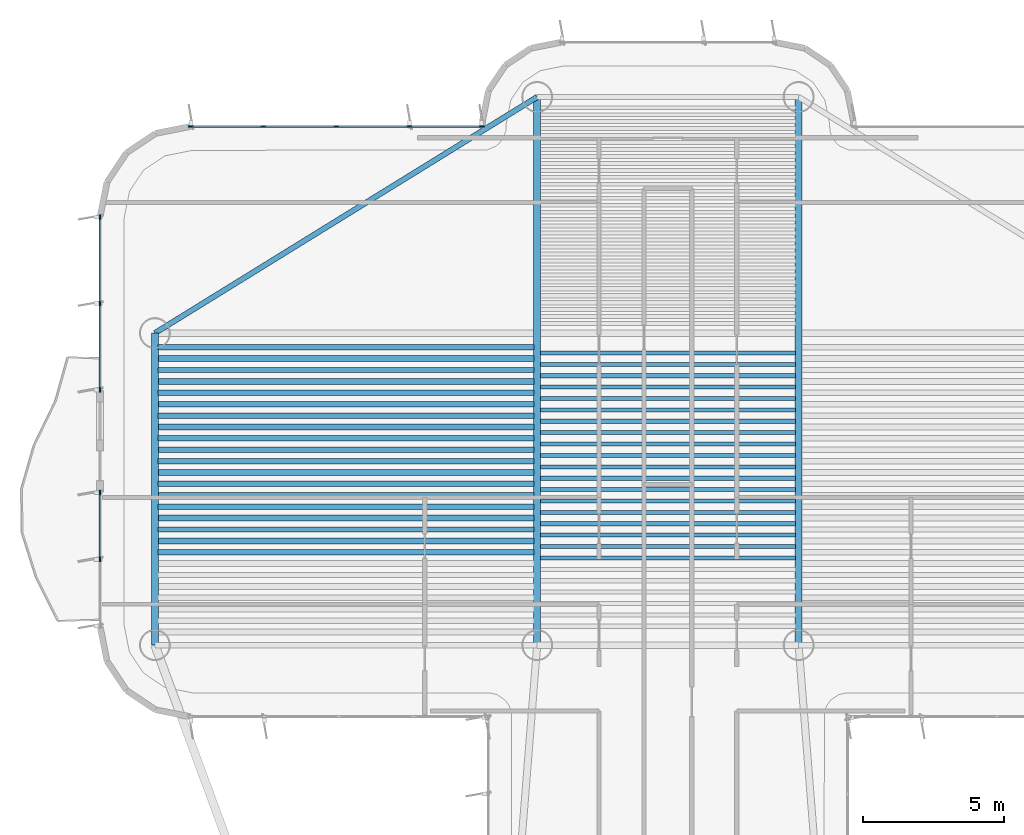
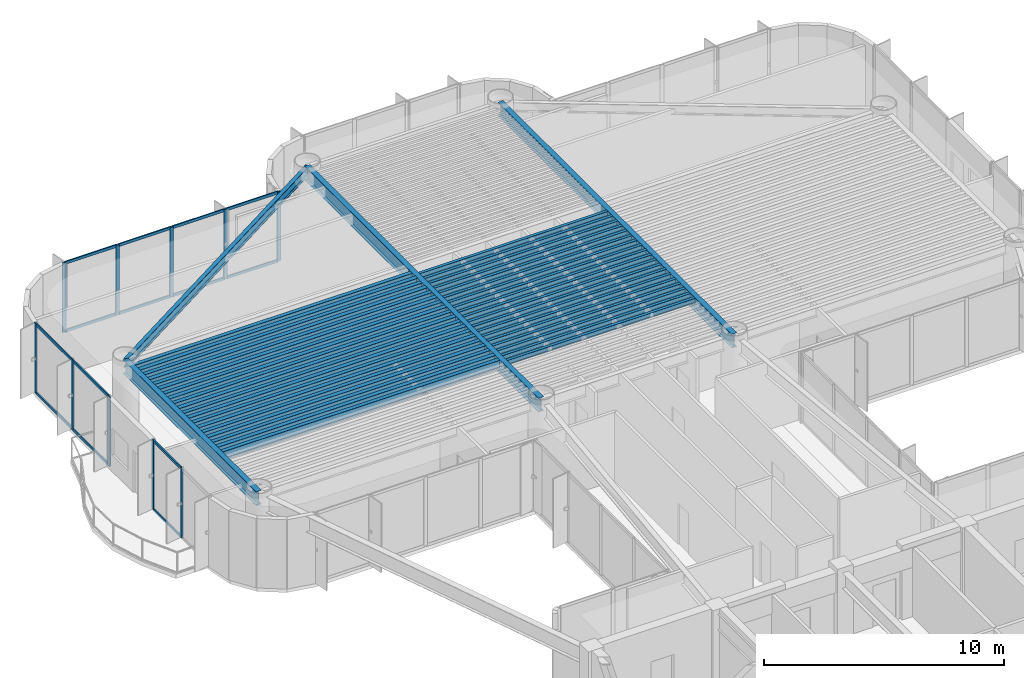
# One storey, part 5 of 14: 42 beams, 24 members, 3 elements without a shape of their own.
"""IFC4 building model written with IfcOpenShell, lengths in metres."""

from ifc_helpers import new_model, si_unit, direction, frame, origin, origin_2d, place, context, subcontext, project, spatial, rectangle, i_section, extrude, source, transform, mapped, material, layer, layer_set, material_profile, profile_set, type_object, element, aggregate, save


model = new_model("IFC4")

# Units and contexts
model_context = context("Model", 3, precision=1e-05, world=origin(), true_north=direction((0.0, 1.0)))
body_context = subcontext(model_context, "Body", "Model", "MODEL_VIEW")
ifc_project = project(units=[si_unit("LENGTHUNIT", "METRE"), si_unit("AREAUNIT", "SQUARE_METRE"), si_unit("VOLUMEUNIT", "CUBIC_METRE"), si_unit("PLANEANGLEUNIT", "RADIAN"), si_unit("MASSUNIT", "GRAM", prefix="KILO")], contexts=[model_context])

# Site, building, storey
site_placement = place(None, origin())
site = spatial("IfcSite", under=ifc_project, at=site_placement, CompositionType="ELEMENT")
building_placement = place(site_placement, origin())
building = spatial("IfcBuilding", under=site, at=building_placement, Name="Brelvock Crest Care Tower", CompositionType="ELEMENT")
storey_placement = place(building_placement, frame((0.0, 0.0, 179.10009765625)))
storey = spatial("IfcBuildingStorey", under=building, at=storey_placement, Name="L45", CompositionType="ELEMENT", Elevation=179.10009765625)

# Beams
ifc_material_1 = material(Name="Steel Grade 350", Category="steel")
ifc_material_profile_1 = material_profile(ifc_material_1, i_section(OverallWidth=0.14599609375, OverallDepth=0.256103515625, WebThickness=0.00634765625, FlangeThickness=0.010986328125, FilletRadius=0.0087890625, at=origin_2d()), Name="250UB37.3")
ifc_profile_set_1 = profile_set([ifc_material_profile_1], Name="Steel Grade 350")
beam_type_1 = type_object("IfcBeamType", Name="BM-J3", PredefinedType="JOIST", material=ifc_profile_set_1)
shared_shape_1 = source(origin(), body_context, "Body", "SweptSolid", [
    extrude(i_section(OverallWidth=0.14599609375, OverallDepth=0.256103515625, WebThickness=0.00634765625, FlangeThickness=0.010986328125, FilletRadius=0.0087890625, at=origin_2d()), origin(), (0.0, 0.0, 1.0), 9.06982421875),
])
for number, where, z_axis, x_axis, name in (
    (1, (31.465087890625, 38.0498046875, 3.40185546875), (1.0, 0.0, 0.0), (0.0, 1.0, 0.0), "BM-JH-L45-7"),
    (2, (31.465087890625, 38.454833984375, 3.40185546875), (1.0, 0.0, 0.0), (0.0, 1.0, 0.0), "BM-JH-L45-8"),
    (3, (31.465087890625, 38.860107421875, 3.40185546875), (1.0, 0.0, 0.0), (0.0, 1.0, 0.0), "BM-JH-L45-9"),
    (4, (31.465087890625, 39.26513671875, 3.40185546875), (1.0, 0.0, 0.0), (0.0, 1.0, 0.0), "BM-JH-L45-10"),
    (5, (31.465087890625, 39.67041015625, 3.40185546875), (1.0, 0.0, 0.0), (0.0, 1.0, 0.0), "BM-JH-L45-11"),
    (6, (31.465087890625, 40.075439453125, 3.40185546875), (1.0, 0.0, 0.0), (0.0, 1.0, 0.0), "BM-JH-L45-12"),
    (7, (31.465087890625, 40.480712890625, 3.40185546875), (1.0, 0.0, 0.0), (0.0, 1.0, 0.0), "BM-JH-L45-13"),
    (8, (31.465087890625, 40.8857421875, 3.40185546875), (1.0, 0.0, 0.0), (0.0, 1.0, 0.0), "BM-JH-L45-14"),
    (9, (31.465087890625, 41.291015625, 3.40185546875), (1.0, 0.0, 0.0), (0.0, 1.0, 0.0), "BM-JH-L45-15"),
    (10, (31.465087890625, 41.696044921875, 3.40185546875), (1.0, 0.0, 0.0), (0.0, 1.0, 0.0), "BM-JH-L45-16"),
    (11, (31.465087890625, 42.101318359375, 3.40185546875), (1.0, 0.0, 0.0), (0.0, 1.0, 0.0), "BM-JH-L45-17"),
    (12, (31.465087890625, 42.50634765625, 3.40185546875), (1.0, 0.0, 0.0), (0.0, 1.0, 0.0), "BM-JH-L45-18"),
    (13, (31.465087890625, 42.91162109375, 3.40185546875), (1.0, 0.0, 0.0), (0.0, 1.0, 0.0), "BM-JH-L45-19"),
    (14, (31.465087890625, 43.316650390625, 3.40185546875), (1.0, 0.0, 0.0), (0.0, 1.0, 0.0), "BM-JH-L45-20"),
    (15, (31.465087890625, 43.7216796875, 3.40185546875), (1.0, 0.0, 0.0), (0.0, 1.0, 0.0), "BM-JH-L45-21"),
    (16, (31.465087890625, 44.126953125, 3.40185546875), (1.0, 0.0, 0.0), (0.0, 1.0, 0.0), "BM-JH-L45-22"),
    (17, (31.465087890625, 44.531982421875, 3.40185546875), (1.0, 0.0, 0.0), (0.0, 1.0, 0.0), "BM-JH-L45-23"),
    (18, (31.465087890625, 44.937255859375, 3.40185546875), (1.0, 0.0, 0.0), (0.0, 1.0, 0.0), "BM-JH-L45-24"),
    (19, (31.465087890625, 45.34228515625, 3.40185546875), (1.0, 0.0, 0.0), (0.0, 1.0, 0.0), "BM-JH-L45-25"),
):
    element("IfcBeam", number, at=place(storey_placement, frame(where, z_axis=z_axis, x_axis=x_axis)), inside=storey, type_object=beam_type_1, Name=name, PredefinedType="JOIST", context=body_context, shape_type="MappedRepresentation", body=[
        mapped(shared_shape_1, transform((0.0, 0.0, 0.0), x_axis=(1.0, 0.0, 0.0), y_axis=(0.0, 1.0, 0.0), z_axis=(0.0, 0.0, 1.0), scale=1.0)),
    ])
ifc_material_profile_2 = material_profile(ifc_material_1, i_section(OverallWidth=0.208984375, OverallDepth=0.532958984375, WebThickness=0.01025390625, FlangeThickness=0.015625, FilletRadius=0.013916015625, at=origin_2d()), Name="530UB92.4")
ifc_profile_set_2 = profile_set([ifc_material_profile_2], Name="Steel Grade 350")
beam_type_2 = type_object("IfcBeamType", Name="BM-G2", PredefinedType="BEAM", material=ifc_profile_set_2)
shared_shape_2 = source(origin(), body_context, "Body", "SweptSolid", [
    extrude(i_section(OverallWidth=0.208984375, OverallDepth=0.532958984375, WebThickness=0.01025390625, FlangeThickness=0.015625, FilletRadius=0.013916015625, at=origin_2d()), origin(), (0.0, 0.0, 1.0), 13.3701171875),
])
for number, where, z_axis, x_axis, name in (
    (20, (17.864990234375, 38.657470703125, 3.263427734375), (1.0, 0.0, 0.0), (0.0, 1.0, 0.0), "BM-JW-L45-9"),
    (21, (17.864990234375, 39.4677734375, 3.263427734375), (1.0, 0.0, 0.0), (0.0, 1.0, 0.0), "BM-JW-L45-11"),
    (22, (17.864990234375, 40.278076171875, 3.263427734375), (1.0, 0.0, 0.0), (0.0, 1.0, 0.0), "BM-JW-L45-13"),
    (23, (17.864990234375, 41.08837890625, 3.263427734375), (1.0, 0.0, 0.0), (0.0, 1.0, 0.0), "BM-JW-L45-15"),
    (24, (17.864990234375, 41.898681640625, 3.263427734375), (1.0, 0.0, 0.0), (0.0, 1.0, 0.0), "BM-JW-L45-17"),
    (25, (17.864990234375, 42.708984375, 3.263427734375), (1.0, 0.0, 0.0), (0.0, 1.0, 0.0), "BM-JW-L45-19"),
    (26, (17.864990234375, 43.519287109375, 3.263427734375), (1.0, 0.0, 0.0), (0.0, 1.0, 0.0), "BM-JW-L45-21"),
    (27, (17.864990234375, 44.32958984375, 3.263427734375), (1.0, 0.0, 0.0), (0.0, 1.0, 0.0), "BM-JW-L45-23"),
    (28, (17.864990234375, 45.139892578125, 3.263427734375), (1.0, 0.0, 0.0), (0.0, 1.0, 0.0), "BM-JW-L45-25"),
):
    element("IfcBeam", number, at=place(storey_placement, frame(where, z_axis=z_axis, x_axis=x_axis)), inside=storey, type_object=beam_type_2, Name=name, PredefinedType="BEAM", context=body_context, shape_type="MappedRepresentation", body=[
        mapped(shared_shape_2, transform((0.0, 0.0, 0.0), x_axis=(1.0, 0.0, 0.0), y_axis=(0.0, 1.0, 0.0), z_axis=(0.0, 0.0, 1.0), scale=1.0)),
    ])
ifc_material_profile_3 = material_profile(ifc_material_1, i_section(OverallWidth=0.19091796875, OverallDepth=0.4599609375, WebThickness=0.010009765625, FlangeThickness=0.01611328125, FilletRadius=0.011474609375, at=origin_2d()), Name="460UB82.1")
ifc_profile_set_3 = profile_set([ifc_material_profile_3], Name="Steel Grade 350")
beam_type_3 = type_object("IfcBeamType", Name="BM-G3", PredefinedType="BEAM", material=ifc_profile_set_3)
shared_shape_3 = source(origin(), body_context, "Body", "SweptSolid", [
    extrude(i_section(OverallWidth=0.19091796875, OverallDepth=0.4599609375, WebThickness=0.010009765625, FlangeThickness=0.01611328125, FilletRadius=0.011474609375, at=origin_2d()), origin(), (0.0, 0.0, 1.0), 13.3701171875),
])
for number, where, z_axis, x_axis, name in (
    (29, (17.864990234375, 38.252197265625, 3.2998046875), (1.0, 0.0, 0.0), (0.0, 1.0, 0.0), "BM-JW-L45-8"),
    (30, (17.864990234375, 39.0625, 3.2998046875), (1.0, 0.0, 0.0), (0.0, 1.0, 0.0), "BM-JW-L45-10"),
    (31, (17.864990234375, 39.872802734375, 3.2998046875), (1.0, 0.0, 0.0), (0.0, 1.0, 0.0), "BM-JW-L45-12"),
    (32, (17.864990234375, 40.68310546875, 3.2998046875), (1.0, 0.0, 0.0), (0.0, 1.0, 0.0), "BM-JW-L45-14"),
    (33, (17.864990234375, 41.493408203125, 3.2998046875), (1.0, 0.0, 0.0), (0.0, 1.0, 0.0), "BM-JW-L45-16"),
    (34, (17.864990234375, 42.3037109375, 3.2998046875), (1.0, 0.0, 0.0), (0.0, 1.0, 0.0), "BM-JW-L45-18"),
    (35, (17.864990234375, 43.114013671875, 3.2998046875), (1.0, 0.0, 0.0), (0.0, 1.0, 0.0), "BM-JW-L45-20"),
    (36, (17.864990234375, 43.92431640625, 3.2998046875), (1.0, 0.0, 0.0), (0.0, 1.0, 0.0), "BM-JW-L45-22"),
    (37, (17.864990234375, 44.734619140625, 3.2998046875), (1.0, 0.0, 0.0), (0.0, 1.0, 0.0), "BM-JW-L45-24"),
    (38, (17.864990234375, 45.544921875, 3.2998046875), (1.0, 0.0, 0.0), (0.0, 1.0, 0.0), "BM-JW-L45-26"),
):
    element("IfcBeam", number, at=place(storey_placement, frame(where, z_axis=z_axis, x_axis=x_axis)), inside=storey, type_object=beam_type_3, Name=name, PredefinedType="BEAM", context=body_context, shape_type="MappedRepresentation", body=[
        mapped(shared_shape_3, transform((0.0, 0.0, 0.0), x_axis=(1.0, 0.0, 0.0), y_axis=(0.0, 1.0, 0.0), z_axis=(0.0, 0.0, 1.0), scale=1.0)),
    ])
ifc_material_profile_4 = material_profile(ifc_material_1, i_section(OverallWidth=0.25, OverallDepth=0.699951171875, WebThickness=0.011962890625, FlangeThickness=0.02001953125, at=origin_2d()), Name="700WB150")
ifc_profile_set_4 = profile_set([ifc_material_profile_4], Name="Steel Grade 350")
beam_type_4 = type_object("IfcBeamType", Name="BM-G4", PredefinedType="BEAM", material=ifc_profile_set_4)
shared_shape_4 = source(origin(), body_context, "Body", "SweptSolid", [
    extrude(i_section(OverallWidth=0.25, OverallDepth=0.699951171875, WebThickness=0.011962890625, FlangeThickness=0.02001953125, at=origin_2d()), origin(), (0.0, 0.0, 1.0), 11.10009765625),
])
beam_1_placement = place(storey_placement, frame((17.75, 34.949951171875, 3.179931640625), z_axis=(0.0, 1.0, 0.0), x_axis=(-1.0, 0.0, 0.0)))
element("IfcBeam", 39, at=beam_1_placement, inside=storey, type_object=beam_type_4, Name="BM-TWR-L45-01", PredefinedType="BEAM", context=body_context, shape_type="MappedRepresentation", body=[
    mapped(shared_shape_4, transform((0.0, 0.0, 0.0), x_axis=(1.0, 0.0, 0.0), y_axis=(0.0, 1.0, 0.0), z_axis=(0.0, 0.0, 1.0), scale=1.0)),
])
ifc_material_profile_5 = material_profile(ifc_material_1, i_section(OverallWidth=0.19091796875, OverallDepth=0.4599609375, WebThickness=0.010009765625, FlangeThickness=0.01611328125, FilletRadius=0.011474609375, at=origin_2d()), Name="460UB82.1")
ifc_profile_set_5 = profile_set([ifc_material_profile_5], Name="Steel Grade 350")
beam_type_5 = type_object("IfcBeamType", Name="BM-SP2", PredefinedType="SPANDREL", material=ifc_profile_set_5)
shared_shape_5 = source(origin(), body_context, "Body", "SweptSolid", [
    extrude(i_section(OverallWidth=0.19091796875, OverallDepth=0.4599609375, WebThickness=0.010009765625, FlangeThickness=0.01611328125, FilletRadius=0.011474609375, at=origin_2d()), origin(), (0.0, 0.0, 1.0), 15.985107421875),
])
beam_2_placement = place(storey_placement, frame((17.75, 46.050048828125, 3.2998046875), z_axis=(0.850802415717, 0.525485727124, 0.0), x_axis=(-0.525485727124, 0.850802415717, 0.0)))
element("IfcBeam", 40, at=beam_2_placement, inside=storey, type_object=beam_type_5, Name="BM-TWR-L45-06", PredefinedType="SPANDREL", context=body_context, shape_type="MappedRepresentation", body=[
    mapped(shared_shape_5, transform((0.0, 0.0, 0.0), x_axis=(1.0, 0.0, 0.0), y_axis=(0.0, 1.0, 0.0), z_axis=(0.0, 0.0, 1.0), scale=1.0)),
])
shared_shape_6 = source(origin(), body_context, "Body", "SweptSolid", [
    extrude(i_section(OverallWidth=0.25, OverallDepth=0.699951171875, WebThickness=0.011962890625, FlangeThickness=0.02001953125, at=origin_2d()), origin(), (0.0, 0.0, 1.0), 19.5),
])
for number, where, z_axis, x_axis, name in (
    (41, (31.35009765625, 34.949951171875, 3.179931640625), (0.0, 1.0, 0.0), (-1.0, 0.0, 0.0), "BM-TWR-L45-09"),
    (42, (40.64990234375, 34.949951171875, 3.179931640625), (0.0, 1.0, 0.0), (-1.0, 0.0, 0.0), "BM-TWR-L45-10"),
):
    element("IfcBeam", number, at=place(storey_placement, frame(where, z_axis=z_axis, x_axis=x_axis)), inside=storey, type_object=beam_type_4, Name=name, PredefinedType="BEAM", context=body_context, shape_type="MappedRepresentation", body=[
        mapped(shared_shape_6, transform((0.0, 0.0, 0.0), x_axis=(1.0, 0.0, 0.0), y_axis=(0.0, 1.0, 0.0), z_axis=(0.0, 0.0, 1.0), scale=1.0)),
    ])

# Curtain wall, members
ifc_material_2 = material(Name="Dark Glass Double Glazed Low-E", Category="glass")
ifc_layer = layer(ifc_material_2, 0.22509765625, Name="CWS-4")
ifc_layer_set = layer_set([ifc_layer], Name="Dark Glass Double Glazed Low-E")
curtain_wall_type = type_object("IfcCurtainWallType", Name="CWS-4", PredefinedType="NOTDEFINED", material=ifc_layer_set)
curtain_wall_1_placement = place(storey_placement, origin())
curtain_wall_1 = element("IfcCurtainWall", 43, at=curtain_wall_1_placement, inside=storey, type_object=curtain_wall_type, Name="L45 Curtain Wall E17A", PredefinedType="NOTDEFINED")
ifc_material_3 = material(Name="Aluminium 6063-T6", Category="aluminium")
ifc_material_profile_6 = material_profile(ifc_material_3, rectangle(XDim=0.06005859375, YDim=0.179931640625, at=origin_2d()), Name="ALU60x180")
ifc_profile_set_6 = profile_set([ifc_material_profile_6], Name="Aluminium 6063-T6")
member_type_1 = type_object("IfcMemberType", Name="CWM-2", PredefinedType="MULLION", material=ifc_profile_set_6)
shared_shape_7 = source(origin(), body_context, "Body", "SweptSolid", [
    extrude(rectangle(XDim=0.06005859375, YDim=0.179931640625, at=origin_2d()), origin(), (0.0, 0.0, 1.0), 3.52978515625),
])
member_1_placement = place(storey_placement, frame((15.800048828125, 38.0, 0.0), z_axis=(0.0, 0.0, 1.0), x_axis=(-1.0, 0.0, 0.0)))
member_1 = element("IfcMember", 44, at=member_1_placement, type_object=member_type_1, Name="CW-4 mullion 2", PredefinedType="MULLION", context=body_context, shape_type="MappedRepresentation", body=[
    mapped(shared_shape_7, transform((0.0, 0.0, 0.0), x_axis=(1.0, 0.0, 0.0), y_axis=(0.0, 1.0, 0.0), z_axis=(0.0, 0.0, 1.0), scale=1.0)),
])
member_2_placement = place(storey_placement, frame((15.800048828125, 40.3701171875, 0.0), z_axis=(0.0, 0.0, 1.0), x_axis=(-1.0, 0.0, 0.0)))
member_2 = element("IfcMember", 45, at=member_2_placement, type_object=member_type_1, Name="CW-4 mullion 3", PredefinedType="MULLION", context=body_context, shape_type="MappedRepresentation", body=[
    mapped(shared_shape_7, transform((0.0, 0.0, 0.0), x_axis=(1.0, 0.0, 0.0), y_axis=(0.0, 1.0, 0.0), z_axis=(0.0, 0.0, 1.0), scale=1.0)),
])

curtain_wall_2_placement = place(storey_placement, origin())
curtain_wall_2 = element("IfcCurtainWall", 46, at=curtain_wall_2_placement, inside=storey, type_object=curtain_wall_type, Name="L45 Curtain Wall E17B", PredefinedType="NOTDEFINED")
member_3_placement = place(storey_placement, frame((15.800048828125, 44.030029296875, 0.0), z_axis=(0.0, 0.0, 1.0), x_axis=(-1.0, 0.0, 0.0)))
member_3 = element("IfcMember", 47, at=member_3_placement, type_object=member_type_1, Name="CW-4 mullion 1", PredefinedType="MULLION", context=body_context, shape_type="MappedRepresentation", body=[
    mapped(shared_shape_7, transform((0.0, 0.0, 0.0), x_axis=(1.0, 0.0, 0.0), y_axis=(0.0, 1.0, 0.0), z_axis=(0.0, 0.0, 1.0), scale=1.0)),
])
member_4_placement = place(storey_placement, frame((15.800048828125, 47.10009765625, 0.0), z_axis=(0.0, 0.0, 1.0), x_axis=(-1.0, 0.0, 0.0)))
member_4 = element("IfcMember", 48, at=member_4_placement, type_object=member_type_1, Name="CW-4 mullion 2", PredefinedType="MULLION", context=body_context, shape_type="MappedRepresentation", body=[
    mapped(shared_shape_7, transform((0.0, 0.0, 0.0), x_axis=(1.0, 0.0, 0.0), y_axis=(0.0, 1.0, 0.0), z_axis=(0.0, 0.0, 1.0), scale=1.0)),
])
member_5_placement = place(storey_placement, frame((15.800048828125, 50.169921875, 0.0), z_axis=(0.0, 0.0, 1.0), x_axis=(-1.0, 0.0, 0.0)))
member_5 = element("IfcMember", 49, at=member_5_placement, type_object=member_type_1, Name="CW-4 mullion 3", PredefinedType="MULLION", context=body_context, shape_type="MappedRepresentation", body=[
    mapped(shared_shape_7, transform((0.0, 0.0, 0.0), x_axis=(1.0, 0.0, 0.0), y_axis=(0.0, 1.0, 0.0), z_axis=(0.0, 0.0, 1.0), scale=1.0)),
])

curtain_wall_3_placement = place(storey_placement, origin())
curtain_wall_3 = element("IfcCurtainWall", 50, at=curtain_wall_3_placement, inside=storey, type_object=curtain_wall_type, Name="L45 Curtain Wall E22", PredefinedType="NOTDEFINED")
member_6_placement = place(storey_placement, frame((19.030029296875, 53.39990234375, 0.0), z_axis=(0.0, 0.0, 1.0), x_axis=(0.0, 1.0, 0.0)))
member_6 = element("IfcMember", 51, at=member_6_placement, type_object=member_type_1, Name="CW-4 mullion 1", PredefinedType="MULLION", context=body_context, shape_type="MappedRepresentation", body=[
    mapped(shared_shape_7, transform((0.0, 0.0, 0.0), x_axis=(1.0, 0.0, 0.0), y_axis=(0.0, 1.0, 0.0), z_axis=(0.0, 0.0, 1.0), scale=1.0)),
])
member_7_placement = place(storey_placement, frame((21.60009765625, 53.39990234375, 0.0), z_axis=(0.0, 0.0, 1.0), x_axis=(0.0, 1.0, 0.0)))
member_7 = element("IfcMember", 52, at=member_7_placement, type_object=member_type_1, Name="CW-4 mullion 2", PredefinedType="MULLION", context=body_context, shape_type="MappedRepresentation", body=[
    mapped(shared_shape_7, transform((0.0, 0.0, 0.0), x_axis=(1.0, 0.0, 0.0), y_axis=(0.0, 1.0, 0.0), z_axis=(0.0, 0.0, 1.0), scale=1.0)),
])
member_8_placement = place(storey_placement, frame((24.199951171875, 53.39990234375, 0.0), z_axis=(0.0, 0.0, 1.0), x_axis=(0.0, 1.0, 0.0)))
member_8 = element("IfcMember", 53, at=member_8_placement, type_object=member_type_1, Name="CW-4 mullion 3", PredefinedType="MULLION", context=body_context, shape_type="MappedRepresentation", body=[
    mapped(shared_shape_7, transform((0.0, 0.0, 0.0), x_axis=(1.0, 0.0, 0.0), y_axis=(0.0, 1.0, 0.0), z_axis=(0.0, 0.0, 1.0), scale=1.0)),
])
member_9_placement = place(storey_placement, frame((26.800048828125, 53.39990234375, 0.0), z_axis=(0.0, 0.0, 1.0), x_axis=(0.0, 1.0, 0.0)))
member_9 = element("IfcMember", 54, at=member_9_placement, type_object=member_type_1, Name="CW-4 mullion 4", PredefinedType="MULLION", context=body_context, shape_type="MappedRepresentation", body=[
    mapped(shared_shape_7, transform((0.0, 0.0, 0.0), x_axis=(1.0, 0.0, 0.0), y_axis=(0.0, 1.0, 0.0), z_axis=(0.0, 0.0, 1.0), scale=1.0)),
])
member_10_placement = place(storey_placement, frame((29.3701171875, 53.39990234375, 0.0), z_axis=(0.0, 0.0, 1.0), x_axis=(0.0, 1.0, 0.0)))
member_10 = element("IfcMember", 55, at=member_10_placement, type_object=member_type_1, Name="CW-4 mullion 5", PredefinedType="MULLION", context=body_context, shape_type="MappedRepresentation", body=[
    mapped(shared_shape_7, transform((0.0, 0.0, 0.0), x_axis=(1.0, 0.0, 0.0), y_axis=(0.0, 1.0, 0.0), z_axis=(0.0, 0.0, 1.0), scale=1.0)),
])
ifc_material_profile_7 = material_profile(ifc_material_3, rectangle(XDim=0.06005859375, YDim=0.139892578125, at=origin_2d()), Name="ALU60x140")
ifc_profile_set_7 = profile_set([ifc_material_profile_7], Name="Aluminium 6063-T6")
member_type_2 = type_object("IfcMemberType", Name="CWT-2", PredefinedType="USERDEFINED", material=ifc_profile_set_7)
shared_shape_8 = source(origin(), body_context, "Body", "SweptSolid", [
    extrude(rectangle(XDim=0.06005859375, YDim=0.139892578125, at=origin_2d()), origin(), (0.0, 0.0, 1.0), 2.510009765625),
])
member_11_placement = place(storey_placement, frame((19.06005859375, 53.39990234375, 0.02978515625), z_axis=(1.0, 0.0, 0.0), x_axis=(0.0, 1.0, 0.0)))
member_11 = element("IfcMember", 56, at=member_11_placement, type_object=member_type_2, Name="CW-4 transom 1.1", ObjectType="TRANSOM", PredefinedType="USERDEFINED", context=body_context, shape_type="MappedRepresentation", body=[
    mapped(shared_shape_8, transform((0.0, 0.0, 0.0), x_axis=(1.0, 0.0, 0.0), y_axis=(0.0, 1.0, 0.0), z_axis=(0.0, 0.0, 1.0), scale=1.0)),
])
member_12_placement = place(storey_placement, frame((19.06005859375, 53.39990234375, 3.5), z_axis=(1.0, 0.0, 0.0), x_axis=(0.0, 1.0, 0.0)))
member_12 = element("IfcMember", 57, at=member_12_placement, type_object=member_type_2, Name="CW-4 transom 1.2", ObjectType="TRANSOM", PredefinedType="USERDEFINED", context=body_context, shape_type="MappedRepresentation", body=[
    mapped(shared_shape_8, transform((0.0, 0.0, 0.0), x_axis=(1.0, 0.0, 0.0), y_axis=(0.0, 1.0, 0.0), z_axis=(0.0, 0.0, 1.0), scale=1.0)),
])
member_13_placement = place(storey_placement, frame((26.830078125, 53.39990234375, 0.02978515625), z_axis=(1.0, 0.0, 0.0), x_axis=(0.0, 1.0, 0.0)))
member_13 = element("IfcMember", 58, at=member_13_placement, type_object=member_type_2, Name="CW-4 transom 4.1", ObjectType="TRANSOM", PredefinedType="USERDEFINED", context=body_context, shape_type="MappedRepresentation", body=[
    mapped(shared_shape_8, transform((0.0, 0.0, 0.0), x_axis=(1.0, 0.0, 0.0), y_axis=(0.0, 1.0, 0.0), z_axis=(0.0, 0.0, 1.0), scale=1.0)),
])
member_14_placement = place(storey_placement, frame((26.830078125, 53.39990234375, 3.5), z_axis=(1.0, 0.0, 0.0), x_axis=(0.0, 1.0, 0.0)))
member_14 = element("IfcMember", 59, at=member_14_placement, type_object=member_type_2, Name="CW-4 transom 4.2", ObjectType="TRANSOM", PredefinedType="USERDEFINED", context=body_context, shape_type="MappedRepresentation", body=[
    mapped(shared_shape_8, transform((0.0, 0.0, 0.0), x_axis=(1.0, 0.0, 0.0), y_axis=(0.0, 1.0, 0.0), z_axis=(0.0, 0.0, 1.0), scale=1.0)),
])
shared_shape_9 = source(origin(), body_context, "Body", "SweptSolid", [
    extrude(rectangle(XDim=0.06005859375, YDim=0.139892578125, at=origin_2d()), origin(), (0.0, 0.0, 1.0), 2.5400390625),
])
member_15_placement = place(storey_placement, frame((21.6298828125, 53.39990234375, 0.02978515625), z_axis=(1.0, 0.0, 0.0), x_axis=(0.0, 1.0, 0.0)))
member_15 = element("IfcMember", 60, at=member_15_placement, type_object=member_type_2, Name="CW-4 transom 2.1", ObjectType="TRANSOM", PredefinedType="USERDEFINED", context=body_context, shape_type="MappedRepresentation", body=[
    mapped(shared_shape_9, transform((0.0, 0.0, 0.0), x_axis=(1.0, 0.0, 0.0), y_axis=(0.0, 1.0, 0.0), z_axis=(0.0, 0.0, 1.0), scale=1.0)),
])
member_16_placement = place(storey_placement, frame((21.6298828125, 53.39990234375, 3.5), z_axis=(1.0, 0.0, 0.0), x_axis=(0.0, 1.0, 0.0)))
member_16 = element("IfcMember", 61, at=member_16_placement, type_object=member_type_2, Name="CW-4 transom 2.2", ObjectType="TRANSOM", PredefinedType="USERDEFINED", context=body_context, shape_type="MappedRepresentation", body=[
    mapped(shared_shape_9, transform((0.0, 0.0, 0.0), x_axis=(1.0, 0.0, 0.0), y_axis=(0.0, 1.0, 0.0), z_axis=(0.0, 0.0, 1.0), scale=1.0)),
])
member_17_placement = place(storey_placement, frame((24.22998046875, 53.39990234375, 0.02978515625), z_axis=(1.0, 0.0, 0.0), x_axis=(0.0, 1.0, 0.0)))
member_17 = element("IfcMember", 62, at=member_17_placement, type_object=member_type_2, Name="CW-4 transom 3.1", ObjectType="TRANSOM", PredefinedType="USERDEFINED", context=body_context, shape_type="MappedRepresentation", body=[
    mapped(shared_shape_9, transform((0.0, 0.0, 0.0), x_axis=(1.0, 0.0, 0.0), y_axis=(0.0, 1.0, 0.0), z_axis=(0.0, 0.0, 1.0), scale=1.0)),
])
member_18_placement = place(storey_placement, frame((24.22998046875, 53.39990234375, 3.5), z_axis=(1.0, 0.0, 0.0), x_axis=(0.0, 1.0, 0.0)))
member_18 = element("IfcMember", 63, at=member_18_placement, type_object=member_type_2, Name="CW-4 transom 3.2", ObjectType="TRANSOM", PredefinedType="USERDEFINED", context=body_context, shape_type="MappedRepresentation", body=[
    mapped(shared_shape_9, transform((0.0, 0.0, 0.0), x_axis=(1.0, 0.0, 0.0), y_axis=(0.0, 1.0, 0.0), z_axis=(0.0, 0.0, 1.0), scale=1.0)),
])
aggregate(curtain_wall_3, [member_6, member_7, member_8, member_9, member_10, member_11, member_12, member_15, member_16, member_17, member_18, member_13, member_14])

# Member
shared_shape_10 = source(origin(), body_context, "Body", "SweptSolid", [
    extrude(rectangle(XDim=0.06005859375, YDim=0.139892578125, at=origin_2d()), origin(), (0.0, 0.0, 1.0), 2.31005859375),
])
member_19_placement = place(storey_placement, frame((15.800048828125, 38.030029296875, 0.02978515625), z_axis=(0.0, 1.0, 0.0), x_axis=(-1.0, 0.0, 0.0)))
member_19 = element("IfcMember", 64, at=member_19_placement, type_object=member_type_2, Name="CW-4 transom 2.1", ObjectType="TRANSOM", PredefinedType="USERDEFINED", context=body_context, shape_type="MappedRepresentation", body=[
    mapped(shared_shape_10, transform((0.0, 0.0, 0.0), x_axis=(1.0, 0.0, 0.0), y_axis=(0.0, 1.0, 0.0), z_axis=(0.0, 0.0, 1.0), scale=1.0)),
])

member_20_placement = place(storey_placement, frame((15.800048828125, 38.030029296875, 3.5), z_axis=(0.0, 1.0, 0.0), x_axis=(-1.0, 0.0, 0.0)))
member_20 = element("IfcMember", 65, at=member_20_placement, type_object=member_type_2, Name="CW-4 transom 2.2", ObjectType="TRANSOM", PredefinedType="USERDEFINED", context=body_context, shape_type="MappedRepresentation", body=[
    mapped(shared_shape_10, transform((0.0, 0.0, 0.0), x_axis=(1.0, 0.0, 0.0), y_axis=(0.0, 1.0, 0.0), z_axis=(0.0, 0.0, 1.0), scale=1.0)),
])

aggregate(curtain_wall_1, [member_1, member_2, member_19, member_20])

shared_shape_11 = source(origin(), body_context, "Body", "SweptSolid", [
    extrude(rectangle(XDim=0.06005859375, YDim=0.139892578125, at=origin_2d()), origin(), (0.0, 0.0, 1.0), 3.010009765625),
])
member_21_placement = place(storey_placement, frame((15.800048828125, 44.06005859375, 0.02978515625), z_axis=(0.0, 1.0, 0.0), x_axis=(-1.0, 0.0, 0.0)))
member_21 = element("IfcMember", 66, at=member_21_placement, type_object=member_type_2, Name="CW-4 transom 1.1", ObjectType="TRANSOM", PredefinedType="USERDEFINED", context=body_context, shape_type="MappedRepresentation", body=[
    mapped(shared_shape_11, transform((0.0, 0.0, 0.0), x_axis=(1.0, 0.0, 0.0), y_axis=(0.0, 1.0, 0.0), z_axis=(0.0, 0.0, 1.0), scale=1.0)),
])

member_22_placement = place(storey_placement, frame((15.800048828125, 44.06005859375, 3.5), z_axis=(0.0, 1.0, 0.0), x_axis=(-1.0, 0.0, 0.0)))
member_22 = element("IfcMember", 67, at=member_22_placement, type_object=member_type_2, Name="CW-4 transom 1.2", ObjectType="TRANSOM", PredefinedType="USERDEFINED", context=body_context, shape_type="MappedRepresentation", body=[
    mapped(shared_shape_11, transform((0.0, 0.0, 0.0), x_axis=(1.0, 0.0, 0.0), y_axis=(0.0, 1.0, 0.0), z_axis=(0.0, 0.0, 1.0), scale=1.0)),
])

member_23_placement = place(storey_placement, frame((15.800048828125, 47.1298828125, 0.02978515625), z_axis=(0.0, 1.0, 0.0), x_axis=(-1.0, 0.0, 0.0)))
member_23 = element("IfcMember", 68, at=member_23_placement, type_object=member_type_2, Name="CW-4 transom 2.1", ObjectType="TRANSOM", PredefinedType="USERDEFINED", context=body_context, shape_type="MappedRepresentation", body=[
    mapped(shared_shape_11, transform((0.0, 0.0, 0.0), x_axis=(1.0, 0.0, 0.0), y_axis=(0.0, 1.0, 0.0), z_axis=(0.0, 0.0, 1.0), scale=1.0)),
])

member_24_placement = place(storey_placement, frame((15.800048828125, 47.1298828125, 3.5), z_axis=(0.0, 1.0, 0.0), x_axis=(-1.0, 0.0, 0.0)))
member_24 = element("IfcMember", 69, at=member_24_placement, type_object=member_type_2, Name="CW-4 transom 2.2", ObjectType="TRANSOM", PredefinedType="USERDEFINED", context=body_context, shape_type="MappedRepresentation", body=[
    mapped(shared_shape_11, transform((0.0, 0.0, 0.0), x_axis=(1.0, 0.0, 0.0), y_axis=(0.0, 1.0, 0.0), z_axis=(0.0, 0.0, 1.0), scale=1.0)),
])

aggregate(curtain_wall_2, [member_3, member_4, member_5, member_21, member_22, member_23, member_24])

save(model, "model.ifc")
